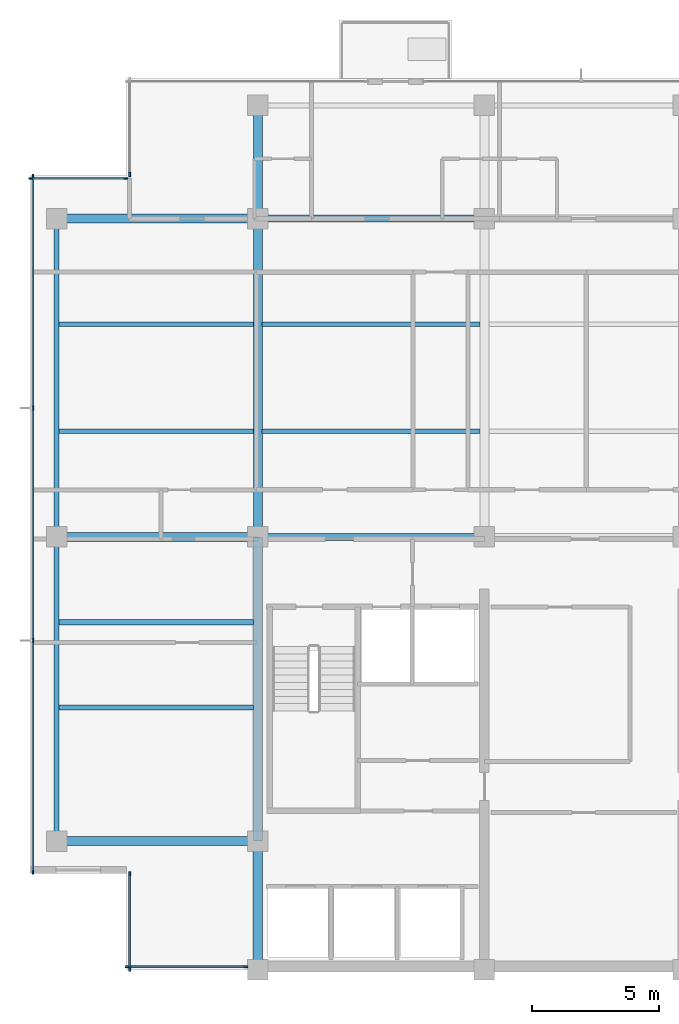
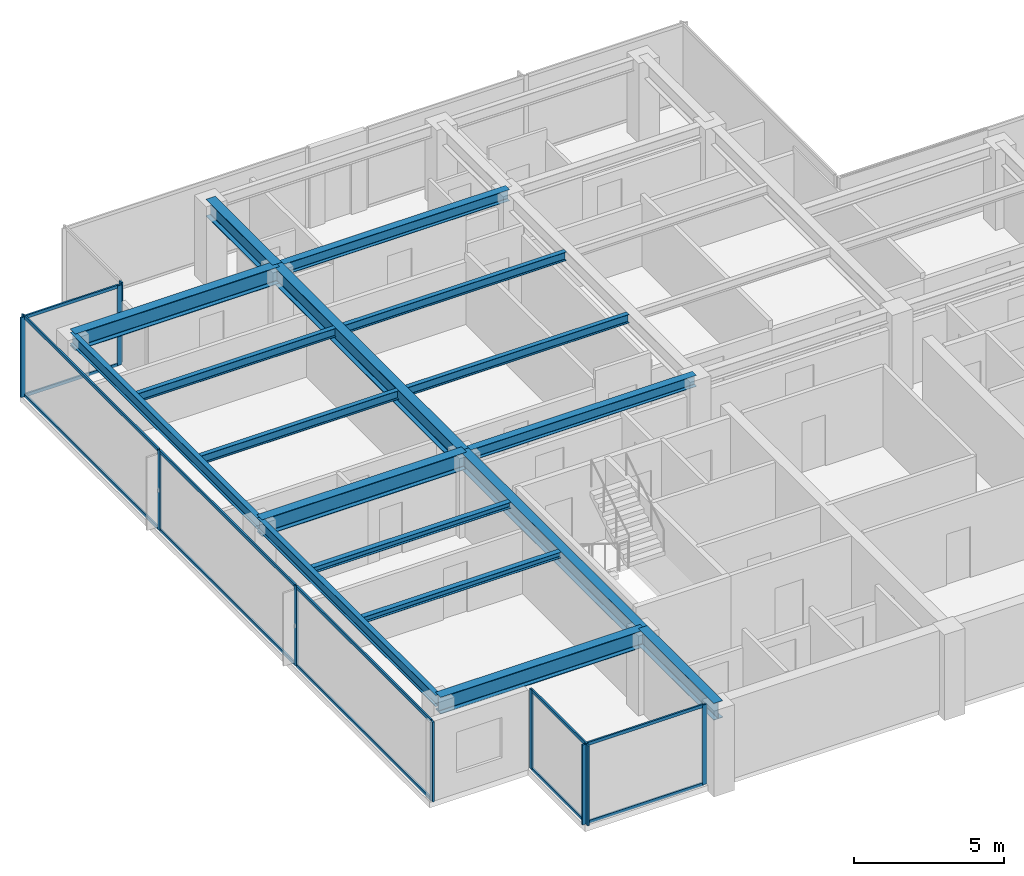
# One storey, part 2 of 11: 23 members, 17 beams, 5 elements without a shape of their own.
"""IFC4 building model written with IfcOpenShell, lengths in metres."""

from ifc_helpers import new_model, si_unit, direction, frame, origin, origin_2d, place, context, subcontext, project, spatial, rectangle, i_section, extrude, material, layer, layer_set, material_profile, profile_set, type_object, element, aggregate, save


model = new_model("IFC4")

# Units and contexts
model_context = context("Model", 3, precision=1e-05, world=origin(), true_north=direction((0.0, 1.0)))
body_context = subcontext(model_context, "Body", "Model", "MODEL_VIEW")
ifc_project = project(units=[si_unit("LENGTHUNIT", "METRE"), si_unit("AREAUNIT", "SQUARE_METRE"), si_unit("VOLUMEUNIT", "CUBIC_METRE"), si_unit("PLANEANGLEUNIT", "RADIAN"), si_unit("MASSUNIT", "GRAM", prefix="KILO")], contexts=[model_context])

# Site, building, storey
site_placement = place(None, origin())
site = spatial("IfcSite", under=ifc_project, at=site_placement, CompositionType="ELEMENT")
building_placement = place(site_placement, origin())
building = spatial("IfcBuilding", under=site, at=building_placement, Name="Qalmaran Belvedere Hotel", CompositionType="ELEMENT")
storey_placement = place(building_placement, frame((0.0, 0.0, 263.39990234375)))
storey = spatial("IfcBuildingStorey", under=building, at=storey_placement, Name="L68", CompositionType="ELEMENT", Elevation=263.39990234375)

# Beams
ifc_material_1 = material(Name="Steel S355JR", Category="steel")
ifc_material_profile_1 = material_profile(ifc_material_1, i_section(OverallWidth=0.201904296875, OverallDepth=0.2470703125, WebThickness=0.00732421875, FlangeThickness=0.010986328125, FilletRadius=0.011962890625, at=origin_2d()), Name="W250X49")
ifc_profile_set_1 = profile_set([ifc_material_profile_1], Name="Steel S355JR")
beam_type_1 = type_object("IfcBeamType", Name="BM-JST-W250X49", PredefinedType="JOIST", material=ifc_profile_set_1)
for number, where, z_axis, x_axis, name in (
    (1, (12.493896484375, 13.800048828125, 3.13671875), (1.0, 0.0, 0.0), (0.0, 1.0, 0.0), "L68 West Wing Joist 031"),
    (2, (12.493896484375, 17.14990234375, 3.13671875), (1.0, 0.0, 0.0), (0.0, 1.0, 0.0), "L68 West Wing Joist 033"),
):
    element("IfcBeam", number, at=place(storey_placement, frame(where, z_axis=z_axis, x_axis=x_axis)), inside=storey, type_object=beam_type_1, Name=name, PredefinedType="JOIST", context=body_context, shape_type="SweptSolid", body=[
        extrude(i_section(OverallWidth=0.201904296875, OverallDepth=0.2470703125, WebThickness=0.00732421875, FlangeThickness=0.010986328125, FilletRadius=0.011962890625, at=origin_2d()), origin(), (0.0, 0.0, 1.0), 7.630615234375),
    ])
ifc_material_profile_2 = material_profile(ifc_material_1, i_section(OverallWidth=0.172119140625, OverallDepth=0.35791015625, WebThickness=0.0078125, FlangeThickness=0.01318359375, FilletRadius=0.014892578125, at=origin_2d()), Name="W360X57")
ifc_profile_set_2 = profile_set([ifc_material_profile_2], Name="Steel S355JR")
beam_type_2 = type_object("IfcBeamType", Name="BM-SB4-W360X57", PredefinedType="BEAM", material=ifc_profile_set_2)
beam_1_placement = place(storey_placement, frame((12.493896484375, 24.64990234375, 3.0810546875), z_axis=(1.0, 0.0, 0.0), x_axis=(0.0, 1.0, 0.0)))
element("IfcBeam", 3, at=beam_1_placement, inside=storey, type_object=beam_type_2, Name="L68 West Secondary Beam 024", PredefinedType="BEAM", context=body_context, shape_type="SweptSolid", body=[
    extrude(i_section(OverallWidth=0.172119140625, OverallDepth=0.35791015625, WebThickness=0.0078125, FlangeThickness=0.01318359375, FilletRadius=0.014892578125, at=origin_2d()), origin(), (0.0, 0.0, 1.0), 7.630615234375),
])
beam_2_placement = place(storey_placement, frame((20.4755859375, 24.64990234375, 3.0810546875), z_axis=(1.0, 0.0, 0.0), x_axis=(0.0, 1.0, 0.0)))
element("IfcBeam", 4, at=beam_2_placement, inside=storey, type_object=beam_type_2, Name="L68 Secondary Floor Beam 025", PredefinedType="BEAM", context=body_context, shape_type="SweptSolid", body=[
    extrude(i_section(OverallWidth=0.172119140625, OverallDepth=0.35791015625, WebThickness=0.0078125, FlangeThickness=0.01318359375, FilletRadius=0.014892578125, at=origin_2d()), origin(), (0.0, 0.0, 1.0), 8.548828125),
])
beam_3_placement = place(storey_placement, frame((12.493896484375, 28.85009765625, 3.0810546875), z_axis=(1.0, 0.0, 0.0), x_axis=(0.0, 1.0, 0.0)))
element("IfcBeam", 5, at=beam_3_placement, inside=storey, type_object=beam_type_2, Name="L68 West Secondary Beam 028", PredefinedType="BEAM", context=body_context, shape_type="SweptSolid", body=[
    extrude(i_section(OverallWidth=0.172119140625, OverallDepth=0.35791015625, WebThickness=0.0078125, FlangeThickness=0.01318359375, FilletRadius=0.014892578125, at=origin_2d()), origin(), (0.0, 0.0, 1.0), 7.630615234375),
])
beam_4_placement = place(storey_placement, frame((20.4755859375, 28.85009765625, 3.0810546875), z_axis=(1.0, 0.0, 0.0), x_axis=(0.0, 1.0, 0.0)))
element("IfcBeam", 6, at=beam_4_placement, inside=storey, type_object=beam_type_2, Name="L68 Secondary Floor Beam 029", PredefinedType="BEAM", context=body_context, shape_type="SweptSolid", body=[
    extrude(i_section(OverallWidth=0.172119140625, OverallDepth=0.35791015625, WebThickness=0.0078125, FlangeThickness=0.01318359375, FilletRadius=0.014892578125, at=origin_2d()), origin(), (0.0, 0.0, 1.0), 8.548828125),
])
ifc_material_profile_3 = material_profile(ifc_material_1, i_section(OverallWidth=0.19189453125, OverallDepth=0.462890625, WebThickness=0.010498046875, FlangeThickness=0.017578125, FilletRadius=0.01611328125, at=origin_2d()), Name="W460X89")
ifc_profile_set_3 = profile_set([ifc_material_profile_3], Name="Steel S355JR")
beam_type_3 = type_object("IfcBeamType", Name="BM-SP2-W460X89", PredefinedType="SPANDREL", material=ifc_profile_set_3)
beam_5_placement = place(storey_placement, frame((12.39990234375, 8.550048828125, 3.028564453125), z_axis=(0.0, 1.0, 0.0), x_axis=(-1.0, 0.0, 0.0)))
element("IfcBeam", 7, at=beam_5_placement, inside=storey, type_object=beam_type_3, Name="L68 Perimeter Spandrel 01", PredefinedType="SPANDREL", context=body_context, shape_type="SweptSolid", body=[
    extrude(i_section(OverallWidth=0.19189453125, OverallDepth=0.462890625, WebThickness=0.010498046875, FlangeThickness=0.017578125, FilletRadius=0.01611328125, at=origin_2d()), origin(), (0.0, 0.0, 1.0), 11.949951171875),
])
beam_6_placement = place(storey_placement, frame((12.39990234375, 20.5, 3.028564453125), z_axis=(0.0, 1.0, 0.0), x_axis=(-1.0, 0.0, 0.0)))
element("IfcBeam", 8, at=beam_6_placement, inside=storey, type_object=beam_type_3, Name="L68 Perimeter Spandrel 02", PredefinedType="SPANDREL", context=body_context, shape_type="SweptSolid", body=[
    extrude(i_section(OverallWidth=0.19189453125, OverallDepth=0.462890625, WebThickness=0.010498046875, FlangeThickness=0.017578125, FilletRadius=0.01611328125, at=origin_2d()), origin(), (0.0, 0.0, 1.0), 12.5),
])
ifc_material_profile_4 = material_profile(ifc_material_1, i_section(OverallWidth=0.35498046875, OverallDepth=0.695068359375, WebThickness=0.015380859375, FlangeThickness=0.02490234375, FilletRadius=0.02197265625, at=origin_2d()), Name="W690X217")
ifc_profile_set_4 = profile_set([ifc_material_profile_4], Name="Steel S355JR")
beam_type_4 = type_object("IfcBeamType", Name="BM-Z1-W690X217", PredefinedType="USERDEFINED", material=ifc_profile_set_4)
beam_7_placement = place(storey_placement, frame((20.300048828125, 20.5, 2.91259765625), z_axis=(0.0, 1.0, 0.0), x_axis=(-1.0, 0.0, 0.0)))
element("IfcBeam", 9, at=beam_7_placement, inside=storey, type_object=beam_type_4, Name="L68 Mid-Plate N-S Girder 11", ObjectType="GIRDER", PredefinedType="USERDEFINED", context=body_context, shape_type="SweptSolid", body=[
    extrude(i_section(OverallWidth=0.35498046875, OverallDepth=0.695068359375, WebThickness=0.015380859375, FlangeThickness=0.02490234375, FilletRadius=0.02197265625, at=origin_2d()), origin(), (0.0, 0.0, 1.0), 12.5),
])
beam_8_placement = place(storey_placement, frame((20.300048828125, 33.0, 2.91259765625), z_axis=(0.0, 1.0, 0.0), x_axis=(-1.0, 0.0, 0.0)))
element("IfcBeam", 10, at=beam_8_placement, inside=storey, type_object=beam_type_4, Name="L68 North Bay Girder 12", ObjectType="GIRDER", PredefinedType="USERDEFINED", context=body_context, shape_type="SweptSolid", body=[
    extrude(i_section(OverallWidth=0.35498046875, OverallDepth=0.695068359375, WebThickness=0.015380859375, FlangeThickness=0.02490234375, FilletRadius=0.02197265625, at=origin_2d()), origin(), (0.0, 0.0, 1.0), 4.449951171875),
])
for number, where, z_axis, x_axis, name in (
    (11, (12.39990234375, 8.550048828125, 2.91259765625), (1.0, 0.0, 0.0), (0.0, 1.0, 0.0), "L68 West Wing Girder 19"),
    (12, (12.39990234375, 20.5, 2.91259765625), (1.0, 0.0, 0.0), (0.0, 1.0, 0.0), "L68 West Wing Girder 20"),
    (13, (12.39990234375, 33.0, 2.91259765625), (1.0, 0.0, 0.0), (0.0, 1.0, 0.0), "L68 West Wing Girder 21"),
):
    element("IfcBeam", number, at=place(storey_placement, frame(where, z_axis=z_axis, x_axis=x_axis)), inside=storey, type_object=beam_type_4, Name=name, ObjectType="GIRDER", PredefinedType="USERDEFINED", context=body_context, shape_type="SweptSolid", body=[
        extrude(i_section(OverallWidth=0.35498046875, OverallDepth=0.695068359375, WebThickness=0.015380859375, FlangeThickness=0.02490234375, FilletRadius=0.02197265625, at=origin_2d()), origin(), (0.0, 0.0, 1.0), 7.900146484375),
    ])
beam_9_placement = place(storey_placement, frame((20.300048828125, 3.5, 2.91259765625), z_axis=(0.0, 1.0, 0.0), x_axis=(-1.0, 0.0, 0.0)))
element("IfcBeam", 14, at=beam_9_placement, inside=storey, type_object=beam_type_4, Name="L68 West Core Edge Girder A", ObjectType="GIRDER", PredefinedType="USERDEFINED", context=body_context, shape_type="SweptSolid", body=[
    extrude(i_section(OverallWidth=0.35498046875, OverallDepth=0.695068359375, WebThickness=0.015380859375, FlangeThickness=0.02490234375, FilletRadius=0.02197265625, at=origin_2d()), origin(), (0.0, 0.0, 1.0), 5.050048828125),
])
beam_10_placement = place(storey_placement, frame((20.300048828125, 8.550048828125, 2.91259765625), z_axis=(0.0, 1.0, 0.0), x_axis=(-1.0, 0.0, 0.0)))
element("IfcBeam", 15, at=beam_10_placement, inside=storey, type_object=beam_type_4, Name="L68 West Core Edge Girder B", ObjectType="GIRDER", PredefinedType="USERDEFINED", context=body_context, shape_type="SweptSolid", body=[
    extrude(i_section(OverallWidth=0.35498046875, OverallDepth=0.695068359375, WebThickness=0.015380859375, FlangeThickness=0.02490234375, FilletRadius=0.02197265625, at=origin_2d()), origin(), (0.0, 0.0, 1.0), 11.949951171875),
])
ifc_material_profile_5 = material_profile(ifc_material_1, i_section(OverallWidth=0.280029296875, OverallDepth=0.462890625, WebThickness=0.0107421875, FlangeThickness=0.017333984375, FilletRadius=0.01611328125, at=origin_2d()), Name="W460X113")
ifc_profile_set_5 = profile_set([ifc_material_profile_5], Name="Steel S355JR")
beam_type_5 = type_object("IfcBeamType", Name="BM-Z5-W460X113", PredefinedType="USERDEFINED", material=ifc_profile_set_5)
for number, where, z_axis, x_axis, name in (
    (16, (20.300048828125, 20.5, 3.028564453125), (1.0, 0.0, 0.0), (0.0, 1.0, 0.0), "L68 Interior E-W Girder 06"),
    (17, (20.300048828125, 33.0, 3.028564453125), (1.0, 0.0, 0.0), (0.0, 1.0, 0.0), "L68 Interior E-W Girder 09"),
):
    element("IfcBeam", number, at=place(storey_placement, frame(where, z_axis=z_axis, x_axis=x_axis)), inside=storey, type_object=beam_type_5, Name=name, ObjectType="GIRDER", PredefinedType="USERDEFINED", context=body_context, shape_type="SweptSolid", body=[
        extrude(i_section(OverallWidth=0.280029296875, OverallDepth=0.462890625, WebThickness=0.0107421875, FlangeThickness=0.017333984375, FilletRadius=0.01611328125, at=origin_2d()), origin(), (0.0, 0.0, 1.0), 8.89990234375),
    ])

# Curtain wall, members
ifc_material_2 = material(Name="Anodised Bronze Aluminium", Category="aluminium")
ifc_layer = layer(ifc_material_2, 0.18505859375, Name="Anodised Bronze Aluminium")
ifc_layer_set = layer_set([ifc_layer], Name="Anodised Bronze Aluminium")
curtain_wall_type = type_object("IfcCurtainWallType", Name="CW6-TOWER-SKY", PredefinedType="NOTDEFINED", material=ifc_layer_set)
curtain_wall_1_placement = place(storey_placement, origin())
curtain_wall_1 = element("IfcCurtainWall", 18, at=curtain_wall_1_placement, inside=storey, type_object=curtain_wall_type, Name="L68 Curtain Wall CW6", PredefinedType="NOTDEFINED")
ifc_material_profile_6 = material_profile(ifc_material_2, rectangle(XDim=0.06494140625, YDim=0.1650390625, at=origin_2d()), Name="CWM65X165")
ifc_profile_set_6 = profile_set([ifc_material_profile_6], Name="Anodised Bronze Aluminium")
member_type_1 = type_object("IfcMemberType", Name="CWM-65X165", PredefinedType="MULLION", material=ifc_profile_set_6)
member_1_placement = place(storey_placement, frame((15.1826171875, 3.6201171875, 0.0), z_axis=(0.0, 0.0, 1.0), x_axis=(0.0, 1.0, 0.0)))
member_1 = element("IfcMember", 19, at=member_1_placement, type_object=member_type_1, Name="CW6 mullion 1", PredefinedType="MULLION", context=body_context, shape_type="SweptSolid", body=[
    extrude(rectangle(XDim=0.06494140625, YDim=0.1650390625, at=origin_2d()), origin(), (0.0, 0.0, 1.0), 3.260009765625),
])
member_2_placement = place(storey_placement, frame((19.827392578125, 3.6201171875, 0.0), z_axis=(0.0, 0.0, 1.0), x_axis=(0.0, 1.0, 0.0)))
member_2 = element("IfcMember", 20, at=member_2_placement, type_object=member_type_1, Name="CW6 mullion 2", PredefinedType="MULLION", context=body_context, shape_type="SweptSolid", body=[
    extrude(rectangle(XDim=0.06494140625, YDim=0.1650390625, at=origin_2d()), origin(), (0.0, 0.0, 1.0), 3.260009765625),
])

# Curtain wall, member
curtain_wall_2_placement = place(storey_placement, origin())
curtain_wall_2 = element("IfcCurtainWall", 21, at=curtain_wall_2_placement, inside=storey, type_object=curtain_wall_type, Name="L68 Curtain Wall CW6", PredefinedType="NOTDEFINED")
member_3_placement = place(storey_placement, frame((15.27001953125, 34.732421875, 0.0), z_axis=(0.0, 0.0, 1.0), x_axis=(1.0, 0.0, 0.0)))
member_3 = element("IfcMember", 22, at=member_3_placement, type_object=member_type_1, Name="CW6 mullion 2", PredefinedType="MULLION", context=body_context, shape_type="SweptSolid", body=[
    extrude(rectangle(XDim=0.06494140625, YDim=0.1650390625, at=origin_2d()), origin(), (0.0, 0.0, 1.0), 3.260009765625),
])
aggregate(curtain_wall_2, [member_3])

# Curtain wall, members
curtain_wall_3_placement = place(storey_placement, origin())
curtain_wall_3 = element("IfcCurtainWall", 23, at=curtain_wall_3_placement, inside=storey, type_object=curtain_wall_type, Name="L68 Curtain Wall CW6", PredefinedType="NOTDEFINED")
member_4_placement = place(storey_placement, frame((15.117431640625, 34.580078125, 0.0), z_axis=(0.0, 0.0, 1.0), x_axis=(0.0, -1.0, 0.0)))
member_4 = element("IfcMember", 24, at=member_4_placement, type_object=member_type_1, Name="CW6 mullion 1", PredefinedType="MULLION", context=body_context, shape_type="SweptSolid", body=[
    extrude(rectangle(XDim=0.06494140625, YDim=0.1650390625, at=origin_2d()), origin(), (0.0, 0.0, 1.0), 3.260009765625),
])
member_5_placement = place(storey_placement, frame((11.382568359375, 34.580078125, 0.0), z_axis=(0.0, 0.0, 1.0), x_axis=(0.0, -1.0, 0.0)))
member_5 = element("IfcMember", 25, at=member_5_placement, type_object=member_type_1, Name="CW6 mullion 2", PredefinedType="MULLION", context=body_context, shape_type="SweptSolid", body=[
    extrude(rectangle(XDim=0.06494140625, YDim=0.1650390625, at=origin_2d()), origin(), (0.0, 0.0, 1.0), 3.260009765625),
])

curtain_wall_4_placement = place(storey_placement, origin())
curtain_wall_4 = element("IfcCurtainWall", 26, at=curtain_wall_4_placement, inside=storey, type_object=curtain_wall_type, Name="L68 Curtain Wall CW6", PredefinedType="NOTDEFINED")
member_6_placement = place(storey_placement, frame((11.469970703125, 34.66748046875, 0.0), z_axis=(0.0, 0.0, 1.0), x_axis=(1.0, 0.0, 0.0)))
member_6 = element("IfcMember", 27, at=member_6_placement, type_object=member_type_1, Name="CW6 mullion 1", PredefinedType="MULLION", context=body_context, shape_type="SweptSolid", body=[
    extrude(rectangle(XDim=0.06494140625, YDim=0.1650390625, at=origin_2d()), origin(), (0.0, 0.0, 1.0), 3.260009765625),
])
member_7_placement = place(storey_placement, frame((11.469970703125, 25.566650390625, 0.0), z_axis=(0.0, 0.0, 1.0), x_axis=(1.0, 0.0, 0.0)))
member_7 = element("IfcMember", 28, at=member_7_placement, type_object=member_type_1, Name="CW6 mullion 2", PredefinedType="MULLION", context=body_context, shape_type="SweptSolid", body=[
    extrude(rectangle(XDim=0.06494140625, YDim=0.1650390625, at=origin_2d()), origin(), (0.0, 0.0, 1.0), 3.260009765625),
])
member_8_placement = place(storey_placement, frame((11.469970703125, 16.433349609375, 0.0), z_axis=(0.0, 0.0, 1.0), x_axis=(1.0, 0.0, 0.0)))
member_8 = element("IfcMember", 29, at=member_8_placement, type_object=member_type_1, Name="CW6 mullion 3", PredefinedType="MULLION", context=body_context, shape_type="SweptSolid", body=[
    extrude(rectangle(XDim=0.06494140625, YDim=0.1650390625, at=origin_2d()), origin(), (0.0, 0.0, 1.0), 3.260009765625),
])
member_9_placement = place(storey_placement, frame((11.469970703125, 7.33251953125, 0.0), z_axis=(0.0, 0.0, 1.0), x_axis=(1.0, 0.0, 0.0)))
member_9 = element("IfcMember", 30, at=member_9_placement, type_object=member_type_1, Name="CW6 mullion 4", PredefinedType="MULLION", context=body_context, shape_type="SweptSolid", body=[
    extrude(rectangle(XDim=0.06494140625, YDim=0.1650390625, at=origin_2d()), origin(), (0.0, 0.0, 1.0), 3.260009765625),
])

curtain_wall_5_placement = place(storey_placement, origin())
curtain_wall_5 = element("IfcCurtainWall", 31, at=curtain_wall_5_placement, inside=storey, type_object=curtain_wall_type, Name="L68 Curtain Wall CW6", PredefinedType="NOTDEFINED")
member_10_placement = place(storey_placement, frame((15.27001953125, 7.267578125, 0.0), z_axis=(0.0, 0.0, 1.0), x_axis=(1.0, 0.0, 0.0)))
member_10 = element("IfcMember", 32, at=member_10_placement, type_object=member_type_1, Name="CW6 mullion 1", PredefinedType="MULLION", context=body_context, shape_type="SweptSolid", body=[
    extrude(rectangle(XDim=0.06494140625, YDim=0.1650390625, at=origin_2d()), origin(), (0.0, 0.0, 1.0), 3.260009765625),
])
member_11_placement = place(storey_placement, frame((15.27001953125, 3.532470703125, 0.0), z_axis=(0.0, 0.0, 1.0), x_axis=(1.0, 0.0, 0.0)))
member_11 = element("IfcMember", 33, at=member_11_placement, type_object=member_type_1, Name="CW6 mullion 2", PredefinedType="MULLION", context=body_context, shape_type="SweptSolid", body=[
    extrude(rectangle(XDim=0.06494140625, YDim=0.1650390625, at=origin_2d()), origin(), (0.0, 0.0, 1.0), 3.260009765625),
])

# Member
ifc_material_profile_7 = material_profile(ifc_material_2, rectangle(XDim=0.06494140625, YDim=0.1298828125, at=origin_2d()), Name="CWT65X130")
ifc_profile_set_7 = profile_set([ifc_material_profile_7], Name="Anodised Bronze Aluminium")
member_type_2 = type_object("IfcMemberType", Name="CWT-65X130", PredefinedType="USERDEFINED", material=ifc_profile_set_7)
member_12_placement = place(storey_placement, frame((15.215087890625, 3.6201171875, 0.03271484375), z_axis=(1.0, 0.0, 0.0), x_axis=(0.0, 1.0, 0.0)))
member_12 = element("IfcMember", 34, at=member_12_placement, type_object=member_type_2, Name="CW6 transom 1.1", ObjectType="TRANSOM", PredefinedType="USERDEFINED", context=body_context, shape_type="SweptSolid", body=[
    extrude(rectangle(XDim=0.06494140625, YDim=0.1298828125, at=origin_2d()), origin(), (0.0, 0.0, 1.0), 4.579833984375),
])

member_13_placement = place(storey_placement, frame((15.215087890625, 3.6201171875, 3.2275390625), z_axis=(1.0, 0.0, 0.0), x_axis=(0.0, 1.0, 0.0)))
member_13 = element("IfcMember", 35, at=member_13_placement, type_object=member_type_2, Name="CW6 transom 1.2", ObjectType="TRANSOM", PredefinedType="USERDEFINED", context=body_context, shape_type="SweptSolid", body=[
    extrude(rectangle(XDim=0.06494140625, YDim=0.1298828125, at=origin_2d()), origin(), (0.0, 0.0, 1.0), 4.579833984375),
])

aggregate(curtain_wall_1, [member_1, member_2, member_12, member_13])

member_14_placement = place(storey_placement, frame((15.0849609375, 34.580078125, 0.03271484375), z_axis=(-1.0, 0.0, 0.0), x_axis=(0.0, -1.0, 0.0)))
member_14 = element("IfcMember", 36, at=member_14_placement, type_object=member_type_2, Name="CW6 transom 1.1", ObjectType="TRANSOM", PredefinedType="USERDEFINED", context=body_context, shape_type="SweptSolid", body=[
    extrude(rectangle(XDim=0.06494140625, YDim=0.1298828125, at=origin_2d()), origin(), (0.0, 0.0, 1.0), 3.669921875),
])

member_15_placement = place(storey_placement, frame((15.0849609375, 34.580078125, 3.2275390625), z_axis=(-1.0, 0.0, 0.0), x_axis=(0.0, -1.0, 0.0)))
member_15 = element("IfcMember", 37, at=member_15_placement, type_object=member_type_2, Name="CW6 transom 1.2", ObjectType="TRANSOM", PredefinedType="USERDEFINED", context=body_context, shape_type="SweptSolid", body=[
    extrude(rectangle(XDim=0.06494140625, YDim=0.1298828125, at=origin_2d()), origin(), (0.0, 0.0, 1.0), 3.669921875),
])

aggregate(curtain_wall_3, [member_4, member_5, member_14, member_15])

member_16_placement = place(storey_placement, frame((11.469970703125, 34.635009765625, 0.03271484375), z_axis=(0.0, -1.0, 0.0), x_axis=(1.0, 0.0, 0.0)))
member_16 = element("IfcMember", 38, at=member_16_placement, type_object=member_type_2, Name="CW6 transom 1.1", ObjectType="TRANSOM", PredefinedType="USERDEFINED", context=body_context, shape_type="SweptSolid", body=[
    extrude(rectangle(XDim=0.06494140625, YDim=0.1298828125, at=origin_2d()), origin(), (0.0, 0.0, 1.0), 9.035888671875),
])

member_17_placement = place(storey_placement, frame((11.469970703125, 34.635009765625, 3.2275390625), z_axis=(0.0, -1.0, 0.0), x_axis=(1.0, 0.0, 0.0)))
member_17 = element("IfcMember", 39, at=member_17_placement, type_object=member_type_2, Name="CW6 transom 1.2", ObjectType="TRANSOM", PredefinedType="USERDEFINED", context=body_context, shape_type="SweptSolid", body=[
    extrude(rectangle(XDim=0.06494140625, YDim=0.1298828125, at=origin_2d()), origin(), (0.0, 0.0, 1.0), 9.035888671875),
])

member_18_placement = place(storey_placement, frame((11.469970703125, 25.5341796875, 0.03271484375), z_axis=(0.0, -1.0, 0.0), x_axis=(1.0, 0.0, 0.0)))
member_18 = element("IfcMember", 40, at=member_18_placement, type_object=member_type_2, Name="CW6 transom 2.1", ObjectType="TRANSOM", PredefinedType="USERDEFINED", context=body_context, shape_type="SweptSolid", body=[
    extrude(rectangle(XDim=0.06494140625, YDim=0.1298828125, at=origin_2d()), origin(), (0.0, 0.0, 1.0), 9.068359375),
])

member_19_placement = place(storey_placement, frame((11.469970703125, 25.5341796875, 3.2275390625), z_axis=(0.0, -1.0, 0.0), x_axis=(1.0, 0.0, 0.0)))
member_19 = element("IfcMember", 41, at=member_19_placement, type_object=member_type_2, Name="CW6 transom 2.2", ObjectType="TRANSOM", PredefinedType="USERDEFINED", context=body_context, shape_type="SweptSolid", body=[
    extrude(rectangle(XDim=0.06494140625, YDim=0.1298828125, at=origin_2d()), origin(), (0.0, 0.0, 1.0), 9.068359375),
])

member_20_placement = place(storey_placement, frame((11.469970703125, 16.40087890625, 0.03271484375), z_axis=(0.0, -1.0, 0.0), x_axis=(1.0, 0.0, 0.0)))
member_20 = element("IfcMember", 42, at=member_20_placement, type_object=member_type_2, Name="CW6 transom 3.1", ObjectType="TRANSOM", PredefinedType="USERDEFINED", context=body_context, shape_type="SweptSolid", body=[
    extrude(rectangle(XDim=0.06494140625, YDim=0.1298828125, at=origin_2d()), origin(), (0.0, 0.0, 1.0), 9.035888671875),
])

member_21_placement = place(storey_placement, frame((11.469970703125, 16.40087890625, 3.2275390625), z_axis=(0.0, -1.0, 0.0), x_axis=(1.0, 0.0, 0.0)))
member_21 = element("IfcMember", 43, at=member_21_placement, type_object=member_type_2, Name="CW6 transom 3.2", ObjectType="TRANSOM", PredefinedType="USERDEFINED", context=body_context, shape_type="SweptSolid", body=[
    extrude(rectangle(XDim=0.06494140625, YDim=0.1298828125, at=origin_2d()), origin(), (0.0, 0.0, 1.0), 9.035888671875),
])

aggregate(curtain_wall_4, [member_6, member_7, member_8, member_9, member_16, member_17, member_18, member_19, member_20, member_21])

member_22_placement = place(storey_placement, frame((15.27001953125, 7.235107421875, 0.03271484375), z_axis=(0.0, -1.0, 0.0), x_axis=(1.0, 0.0, 0.0)))
member_22 = element("IfcMember", 44, at=member_22_placement, type_object=member_type_2, Name="CW6 transom 1.1", ObjectType="TRANSOM", PredefinedType="USERDEFINED", context=body_context, shape_type="SweptSolid", body=[
    extrude(rectangle(XDim=0.06494140625, YDim=0.1298828125, at=origin_2d()), origin(), (0.0, 0.0, 1.0), 3.670166015625),
])

member_23_placement = place(storey_placement, frame((15.27001953125, 7.235107421875, 3.2275390625), z_axis=(0.0, -1.0, 0.0), x_axis=(1.0, 0.0, 0.0)))
member_23 = element("IfcMember", 45, at=member_23_placement, type_object=member_type_2, Name="CW6 transom 1.2", ObjectType="TRANSOM", PredefinedType="USERDEFINED", context=body_context, shape_type="SweptSolid", body=[
    extrude(rectangle(XDim=0.06494140625, YDim=0.1298828125, at=origin_2d()), origin(), (0.0, 0.0, 1.0), 3.670166015625),
])

aggregate(curtain_wall_5, [member_10, member_11, member_22, member_23])

save(model, "model.ifc")
